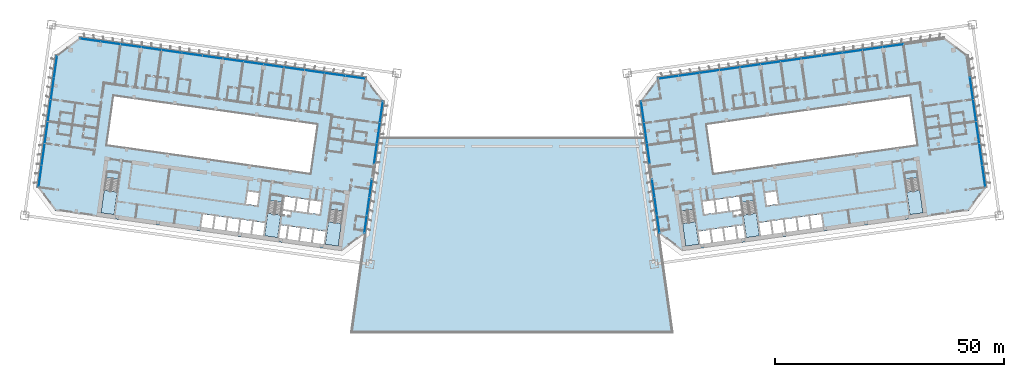
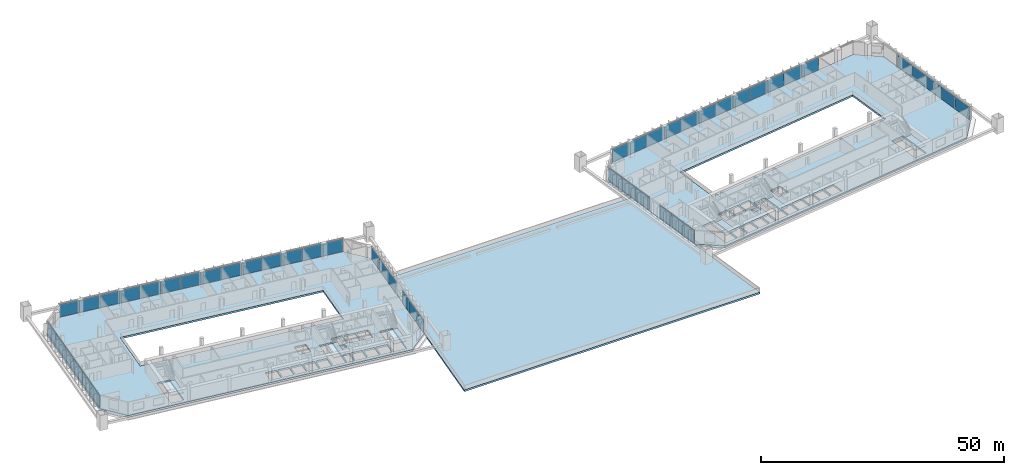
# One storey, part 23 of 46: 49 plates, 9 slabs, 14 elements without a shape of their own.
"""IFC4 building model written with IfcOpenShell, lengths in metres."""

import ifcopenshell
import ifcopenshell.guid

model = None  # the IFC model being written
_history = None  # IfcOwnerHistory: only IFC2X3 demands one
_inside = {}  # id of a spatial element -> (the spatial element, [elements in it])
_under = {}  # id of a project, library or spatial element -> (it, [spatial elements below it])
_declared = {}  # id of a project -> (the project, [libraries it declares])
_typed = {}  # id of a type object -> (the type object, [elements of that type])
_made_of = {}  # id of a material, layer set ... -> (it, [elements and type objects made of it])


def new_model(schema):
    """Start an empty IFC model of exactly this schema.

    Asked for "IFC4X3", IfcOpenShell would pick the latest addendum, in which some entities
    have other attributes; the version numbers below select the first issue.
    IFC2X3 requires an IfcOwnerHistory on every rooted entity: one is made here for all.
    """
    global model, _history
    if schema == "IFC4X3":
        model = ifcopenshell.file(schema_version=(4, 3, 0, 0))
    else:
        model = ifcopenshell.file(schema=schema)
    _inside.clear()
    _under.clear()
    _declared.clear()
    _typed.clear()
    _made_of.clear()
    _history = None
    if model.schema == "IFC2X3":
        org = make("IfcOrganization", Name="unknown")
        user = make(
            "IfcPersonAndOrganization",
            ThePerson=make("IfcPerson", FamilyName="unknown"),
            TheOrganization=org,
        )
        app = make(
            "IfcApplication",
            ApplicationDeveloper=org,
            Version="unknown",
            ApplicationFullName="unknown",
            ApplicationIdentifier="unknown",
        )
        _history = make(
            "IfcOwnerHistory",
            OwningUser=user,
            OwningApplication=app,
            ChangeAction="ADDED",
            CreationDate=0,
        )
    return model


def make(cls, **values):
    """One entity of the class cls with the attributes given. An attribute that is None is left unset."""
    return model.create_entity(
        cls, **{name: value for name, value in values.items() if value is not None}
    )


def rooted(cls, **values):
    """An entity with a GlobalId (a new one), such as an element, a storey or a relation."""
    return make(cls, GlobalId=ifcopenshell.guid.new(), OwnerHistory=_history, **values)


def si_unit(unit_type, name, prefix=None):
    """IfcSIUnit, for example si_unit("LENGTHUNIT", "METRE", prefix="MILLI")."""
    return make("IfcSIUnit", UnitType=unit_type, Prefix=prefix, Name=name)


def assignment(units):
    """IfcUnitAssignment: the units of a project."""
    return None if units is None else make("IfcUnitAssignment", Units=units)


def point(xyz):
    """IfcCartesianPoint."""
    return None if xyz is None else make("IfcCartesianPoint", Coordinates=xyz)


def direction(xyz):
    """IfcDirection."""
    return None if xyz is None else make("IfcDirection", DirectionRatios=xyz)


def frame(location, z_axis=None, x_axis=None):
    """IfcAxis2Placement3D, a coordinate frame: its origin and axes. An axis left out is left unset."""
    return make(
        "IfcAxis2Placement3D",
        Location=point(location),
        Axis=direction(z_axis),
        RefDirection=direction(x_axis),
    )


def frame_2d(location, x_axis=None):
    """IfcAxis2Placement2D, a coordinate frame in the plane: its origin and x axis."""
    return make(
        "IfcAxis2Placement2D", Location=point(location), RefDirection=direction(x_axis)
    )


def origin():
    """The frame at (0, 0, 0) with its axes left unset."""
    return frame((0.0, 0.0, 0.0))


def origin_2d():
    """The frame at (0, 0) in the plane with its x axis left unset."""
    return frame_2d((0.0, 0.0))


def place(relative_to, where):
    """IfcLocalPlacement: puts the frame where relative to a parent placement (None: the world)."""
    return make(
        "IfcLocalPlacement", PlacementRelTo=relative_to, RelativePlacement=where
    )


def context(
    kind, dimensions, precision=None, world=None, true_north=None, identifier=None
):
    """IfcGeometricRepresentationContext, for example the 3D "Model" context."""
    return make(
        "IfcGeometricRepresentationContext",
        ContextIdentifier=identifier,
        ContextType=kind,
        CoordinateSpaceDimension=dimensions,
        Precision=precision,
        WorldCoordinateSystem=world,
        TrueNorth=true_north,
    )


def subcontext(parent, identifier, kind, view, scale=None):
    """IfcGeometricRepresentationSubContext, for example "Body" below "Model"."""
    return make(
        "IfcGeometricRepresentationSubContext",
        ContextIdentifier=identifier,
        ContextType=kind,
        ParentContext=parent,
        TargetScale=scale,
        TargetView=view,
    )


def project(units=None, contexts=None):
    """IfcProject with its units and contexts."""
    return rooted(
        "IfcProject",
        Name="project",
        RepresentationContexts=contexts,
        UnitsInContext=assignment(units),
    )


def spatial(cls, under=None, at=None, **own):
    """A site, building, storey or space (cls), placed at a placement, below another one or the project."""
    s = rooted(cls, ObjectPlacement=at, **own)
    if under is not None:
        _under.setdefault(under.id(), (under, []))[1].append(s)
    return s


def polyline(points):
    """IfcPolyline through the points."""
    return make("IfcPolyline", Points=[point(p) for p in points])


def profile(cls, at=None, kind="AREA", **sizes):
    """A parametric profile (cls). Its sizes go by their IFC names, for example OverallWidth=200.0."""
    return make(cls, ProfileType=kind, Position=at, **sizes)


def rectangle(**sizes):
    """IfcRectangleProfileDef."""
    return profile("IfcRectangleProfileDef", **sizes)


def outline(outer, holes=None, kind="AREA"):
    """IfcArbitraryClosedProfileDef: a profile drawn as a closed curve; with holes, ...WithVoids."""
    if holes is None:
        return make("IfcArbitraryClosedProfileDef", ProfileType=kind, OuterCurve=outer)
    return make(
        "IfcArbitraryProfileDefWithVoids",
        ProfileType=kind,
        OuterCurve=outer,
        InnerCurves=holes,
    )


def extrude(swept, where, along, depth):
    """IfcExtrudedAreaSolid: the profile swept, set in the frame where, extruded along a direction by depth."""
    return make(
        "IfcExtrudedAreaSolid",
        SweptArea=swept,
        Position=where,
        ExtrudedDirection=direction(along),
        Depth=depth,
    )


def shape(context_of_items, identifier, shape_type, items):
    """IfcShapeRepresentation: the items that make up one representation, for example the "Body"."""
    return make(
        "IfcShapeRepresentation",
        ContextOfItems=context_of_items,
        RepresentationIdentifier=identifier,
        RepresentationType=shape_type,
        Items=items,
    )


def material(Name=None, Category=None):
    """IfcMaterial."""
    return make("IfcMaterial", Name=Name, Category=Category)


def layer(
    of_material, thickness, ventilated=None, Name=None, Category=None, Priority=None
):
    """IfcMaterialLayer: one layer of a wall or slab, of a material (None: an air gap)."""
    return make(
        "IfcMaterialLayer",
        Material=of_material,
        LayerThickness=thickness,
        IsVentilated=ventilated,
        Name=Name,
        Category=Category,
        Priority=Priority,
    )


def layer_set(layers, Name=None):
    """IfcMaterialLayerSet."""
    return make("IfcMaterialLayerSet", MaterialLayers=layers, LayerSetName=Name)


def made_of(thing, what):
    """Note that an element or type object is made of a material, layer set ...; save() writes the relation."""
    if what is not None:
        _made_of.setdefault(what.id(), (what, []))[1].append(thing)
    return thing


def type_object(cls, material=None, **own):
    """A type object (cls), such as IfcWallType, which elements share."""
    return made_of(rooted(cls, **own), material)


def element(
    cls,
    number,
    at=None,
    inside=None,
    cuts=None,
    type_object=None,
    material=None,
    context=None,
    identifier="Body",
    shape_type=None,
    held_by="IfcProductDefinitionShape",
    body=None,
    shapes=None,
    **own,
):
    """One element of the class cls, such as IfcWall. Its Tag is "e" and its number.

    at: its placement. inside: the storey or other place that contains it. cuts: it is an
    opening in that element (IfcRelVoidsElement). A single representation is given by context,
    identifier, shape_type and body (its items); several are given by shapes. held_by: the class
    of the entity that holds the representations. save() writes the other relations.
    """
    e = rooted(cls, Tag="e%d" % number, ObjectPlacement=at, **own)
    if body is not None:
        shapes = [shape(context, identifier, shape_type, body)]
    if shapes is not None:
        e.Representation = make(held_by, Representations=shapes)
    if inside is not None:
        _inside.setdefault(inside.id(), (inside, []))[1].append(e)
    if cuts is not None:
        rooted(
            "IfcRelVoidsElement", RelatingBuildingElement=cuts, RelatedOpeningElement=e
        )
    if type_object is not None:
        _typed.setdefault(type_object.id(), (type_object, []))[1].append(e)
    return made_of(e, material)


def aggregate(whole, parts):
    """IfcRelAggregates: a whole, such as a stair, and the parts it consists of."""
    return rooted("IfcRelAggregates", RelatingObject=whole, RelatedObjects=parts)


def save(model, path):
    """Write the relations noted so far, then the file.

    IfcRelAggregates (storeys below a building ...), IfcRelContainedInSpatialStructure (elements
    in a storey), IfcRelDefinesByType, IfcRelAssociatesMaterial and IfcRelDeclares: one each for
    every whole, place, type object, material and project.
    """
    for whole, parts in _under.values():
        aggregate(whole, parts)
    for where, things in _inside.values():
        rooted(
            "IfcRelContainedInSpatialStructure",
            RelatedElements=things,
            RelatingStructure=where,
        )
    for kind, things in _typed.values():
        rooted("IfcRelDefinesByType", RelatedObjects=things, RelatingType=kind)
    for what, things in _made_of.values():
        rooted("IfcRelAssociatesMaterial", RelatedObjects=things, RelatingMaterial=what)
    for by, libraries in _declared.values():
        rooted("IfcRelDeclares", RelatingContext=by, RelatedDefinitions=libraries)
    model.write(path)


model = new_model("IFC4")

# Units and contexts
model_context = context("Model", 3, precision=1e-05, world=origin(), true_north=direction((0.0, 1.0)))
body_context = subcontext(model_context, "Body", "Model", "MODEL_VIEW")
ifc_project = project(units=[si_unit("LENGTHUNIT", "METRE"), si_unit("AREAUNIT", "SQUARE_METRE"), si_unit("VOLUMEUNIT", "CUBIC_METRE"), si_unit("PLANEANGLEUNIT", "RADIAN"), si_unit("MASSUNIT", "GRAM", prefix="KILO")], contexts=[model_context])

# Site, building, storey
site_placement = place(None, origin())
site = spatial("IfcSite", under=ifc_project, at=site_placement, CompositionType="ELEMENT")
building_placement = place(site_placement, origin())
building = spatial("IfcBuilding", under=site, at=building_placement, Name="Mirante Cascada Hotel Towers", CompositionType="ELEMENT")
storey_placement = place(building_placement, frame((0.0, 0.0, 39.5)))
storey = spatial("IfcBuildingStorey", under=building, at=storey_placement, Name="L06", CompositionType="ELEMENT", Elevation=39.5)

# Curtain wall, plates
ifc_material_1 = material(Name="Aluminium mullion and transom frame with clear laminated glass", Category="aluminium")
curtain_wall_type_1 = type_object("IfcCurtainWallType", Name="Ribbon curtain wall ECW1", PredefinedType="NOTDEFINED", material=ifc_material_1)
curtain_wall_1_placement = place(storey_placement, origin())
curtain_wall_1 = element("IfcCurtainWall", 1, at=curtain_wall_1_placement, inside=storey, type_object=curtain_wall_type_1, Name="Front ribbon wall T1 L06", PredefinedType="NOTDEFINED")
ifc_material_2 = material(Name="Clear laminated glass", Category="glass")
ifc_layer_1 = layer(ifc_material_2, 0.036)
ifc_layer_set_1 = layer_set([ifc_layer_1], Name="ECW1 glass panel 36")
plate_type_1 = type_object("IfcPlateType", Name="ECW1 glass panel 36", PredefinedType="CURTAIN_PANEL", material=ifc_layer_set_1)
plate_1_placement = place(storey_placement, frame((-91.9184, 25.7373, 0.1), z_axis=(0.0, 0.0, 1.0), x_axis=(0.9902681, -0.1391731, 0.0)))
plate_1 = element("IfcPlate", 2, at=plate_1_placement, type_object=plate_type_1, Name="ECW1 panel 1", PredefinedType="CURTAIN_PANEL", context=body_context, shape_type="SweptSolid", body=[
    extrude(rectangle(XDim=4.3936, YDim=0.036, at=origin_2d()), origin(), (0.0, 0.0, 1.0), 3.15),
])
plate_2_placement = place(storey_placement, frame((-87.487, 25.1145, 0.1), z_axis=(0.0, 0.0, 1.0), x_axis=(0.9902681, -0.1391731, 0.0)))
plate_2 = element("IfcPlate", 3, at=plate_2_placement, type_object=plate_type_1, Name="ECW1 panel 2", PredefinedType="CURTAIN_PANEL", context=body_context, shape_type="SweptSolid", body=[
    extrude(rectangle(XDim=4.4261, YDim=0.036, at=origin_2d()), origin(), (0.0, 0.0, 1.0), 3.15),
])
plate_3_placement = place(storey_placement, frame((-83.0396, 24.4895, 0.1), z_axis=(0.0, 0.0, 1.0), x_axis=(0.9902681, -0.1391731, 0.0)))
plate_3 = element("IfcPlate", 4, at=plate_3_placement, type_object=plate_type_1, Name="ECW1 panel 3", PredefinedType="CURTAIN_PANEL", context=body_context, shape_type="SweptSolid", body=[
    extrude(rectangle(XDim=4.4261, YDim=0.036, at=origin_2d()), origin(), (0.0, 0.0, 1.0), 3.15),
])
plate_4_placement = place(storey_placement, frame((-78.5922, 23.8644, 0.1), z_axis=(0.0, 0.0, 1.0), x_axis=(0.9902681, -0.1391731, 0.0)))
plate_4 = element("IfcPlate", 5, at=plate_4_placement, type_object=plate_type_1, Name="ECW1 panel 4", PredefinedType="CURTAIN_PANEL", context=body_context, shape_type="SweptSolid", body=[
    extrude(rectangle(XDim=4.4261, YDim=0.036, at=origin_2d()), origin(), (0.0, 0.0, 1.0), 3.15),
])
plate_5_placement = place(storey_placement, frame((-74.1448, 23.2394, 0.1), z_axis=(0.0, 0.0, 1.0), x_axis=(0.9902681, -0.1391731, 0.0)))
plate_5 = element("IfcPlate", 6, at=plate_5_placement, type_object=plate_type_1, Name="ECW1 panel 5", PredefinedType="CURTAIN_PANEL", context=body_context, shape_type="SweptSolid", body=[
    extrude(rectangle(XDim=4.4261, YDim=0.036, at=origin_2d()), origin(), (0.0, 0.0, 1.0), 3.15),
])
plate_6_placement = place(storey_placement, frame((-69.6974, 22.6144, 0.1), z_axis=(0.0, 0.0, 1.0), x_axis=(0.9902681, -0.1391731, 0.0)))
plate_6 = element("IfcPlate", 7, at=plate_6_placement, type_object=plate_type_1, Name="ECW1 panel 6", PredefinedType="CURTAIN_PANEL", context=body_context, shape_type="SweptSolid", body=[
    extrude(rectangle(XDim=4.4261, YDim=0.036, at=origin_2d()), origin(), (0.0, 0.0, 1.0), 3.15),
])
plate_7_placement = place(storey_placement, frame((-65.2499, 21.9893, 0.1), z_axis=(0.0, 0.0, 1.0), x_axis=(0.9902681, -0.1391731, 0.0)))
plate_7 = element("IfcPlate", 8, at=plate_7_placement, type_object=plate_type_1, Name="ECW1 panel 7", PredefinedType="CURTAIN_PANEL", context=body_context, shape_type="SweptSolid", body=[
    extrude(rectangle(XDim=4.4261, YDim=0.036, at=origin_2d()), origin(), (0.0, 0.0, 1.0), 3.15),
])
plate_8_placement = place(storey_placement, frame((-60.8025, 21.3643, 0.1), z_axis=(0.0, 0.0, 1.0), x_axis=(0.9902681, -0.1391731, 0.0)))
plate_8 = element("IfcPlate", 9, at=plate_8_placement, type_object=plate_type_1, Name="ECW1 panel 8", PredefinedType="CURTAIN_PANEL", context=body_context, shape_type="SweptSolid", body=[
    extrude(rectangle(XDim=4.4261, YDim=0.036, at=origin_2d()), origin(), (0.0, 0.0, 1.0), 3.15),
])
plate_9_placement = place(storey_placement, frame((-56.3551, 20.7392, 0.1), z_axis=(0.0, 0.0, 1.0), x_axis=(0.9902681, -0.1391731, 0.0)))
plate_9 = element("IfcPlate", 10, at=plate_9_placement, type_object=plate_type_1, Name="ECW1 panel 9", PredefinedType="CURTAIN_PANEL", context=body_context, shape_type="SweptSolid", body=[
    extrude(rectangle(XDim=4.4261, YDim=0.036, at=origin_2d()), origin(), (0.0, 0.0, 1.0), 3.15),
])
plate_10_placement = place(storey_placement, frame((-51.9077, 20.1142, 0.1), z_axis=(0.0, 0.0, 1.0), x_axis=(0.9902681, -0.1391731, 0.0)))
plate_10 = element("IfcPlate", 11, at=plate_10_placement, type_object=plate_type_1, Name="ECW1 panel 10", PredefinedType="CURTAIN_PANEL", context=body_context, shape_type="SweptSolid", body=[
    extrude(rectangle(XDim=4.4261, YDim=0.036, at=origin_2d()), origin(), (0.0, 0.0, 1.0), 3.15),
])
plate_11_placement = place(storey_placement, frame((-47.4603, 19.4891, 0.1), z_axis=(0.0, 0.0, 1.0), x_axis=(0.9902681, -0.1391731, 0.0)))
plate_11 = element("IfcPlate", 12, at=plate_11_placement, type_object=plate_type_1, Name="ECW1 panel 11", PredefinedType="CURTAIN_PANEL", context=body_context, shape_type="SweptSolid", body=[
    extrude(rectangle(XDim=4.4261, YDim=0.036, at=origin_2d()), origin(), (0.0, 0.0, 1.0), 3.15),
])
plate_12_placement = place(storey_placement, frame((-43.0129, 18.8641, 0.1), z_axis=(0.0, 0.0, 1.0), x_axis=(0.9902681, -0.1391731, 0.0)))
plate_12 = element("IfcPlate", 13, at=plate_12_placement, type_object=plate_type_1, Name="ECW1 panel 12", PredefinedType="CURTAIN_PANEL", context=body_context, shape_type="SweptSolid", body=[
    extrude(rectangle(XDim=4.4261, YDim=0.036, at=origin_2d()), origin(), (0.0, 0.0, 1.0), 3.15),
])
plate_13_placement = place(storey_placement, frame((-38.5654, 18.239, 0.1), z_axis=(0.0, 0.0, 1.0), x_axis=(0.9902681, -0.1391731, 0.0)))
plate_13 = element("IfcPlate", 14, at=plate_13_placement, type_object=plate_type_1, Name="ECW1 panel 13", PredefinedType="CURTAIN_PANEL", context=body_context, shape_type="SweptSolid", body=[
    extrude(rectangle(XDim=4.4261, YDim=0.036, at=origin_2d()), origin(), (0.0, 0.0, 1.0), 3.15),
])
plate_14_placement = place(storey_placement, frame((-34.1341, 17.6163, 0.1), z_axis=(0.0, 0.0, 1.0), x_axis=(0.9902681, -0.1391731, 0.0)))
plate_14 = element("IfcPlate", 15, at=plate_14_placement, type_object=plate_type_1, Name="ECW1 panel 14", PredefinedType="CURTAIN_PANEL", context=body_context, shape_type="SweptSolid", body=[
    extrude(rectangle(XDim=4.3936, YDim=0.036, at=origin_2d()), origin(), (0.0, 0.0, 1.0), 3.15),
])
aggregate(curtain_wall_1, [plate_1, plate_2, plate_3, plate_4, plate_5, plate_6, plate_7, plate_8, plate_9, plate_10, plate_11, plate_12, plate_13, plate_14])

curtain_wall_2_placement = place(storey_placement, origin())
curtain_wall_2 = element("IfcCurtainWall", 16, at=curtain_wall_2_placement, inside=storey, type_object=curtain_wall_type_1, Name="Front ribbon wall T2 L06", PredefinedType="NOTDEFINED")
plate_15_placement = place(storey_placement, frame((83.0396, 24.4895, 0.1), z_axis=(0.0, 0.0, 1.0), x_axis=(-0.9902681, -0.1391731, 0.0)))
plate_15 = element("IfcPlate", 17, at=plate_15_placement, type_object=plate_type_1, Name="ECW1 panel 3", PredefinedType="CURTAIN_PANEL", context=body_context, shape_type="SweptSolid", body=[
    extrude(rectangle(XDim=4.4261, YDim=0.036, at=origin_2d()), origin(), (0.0, 0.0, 1.0), 3.15),
])
plate_16_placement = place(storey_placement, frame((78.5922, 23.8644, 0.1), z_axis=(0.0, 0.0, 1.0), x_axis=(-0.9902681, -0.1391731, 0.0)))
plate_16 = element("IfcPlate", 18, at=plate_16_placement, type_object=plate_type_1, Name="ECW1 panel 4", PredefinedType="CURTAIN_PANEL", context=body_context, shape_type="SweptSolid", body=[
    extrude(rectangle(XDim=4.4261, YDim=0.036, at=origin_2d()), origin(), (0.0, 0.0, 1.0), 3.15),
])
plate_17_placement = place(storey_placement, frame((74.1448, 23.2394, 0.1), z_axis=(0.0, 0.0, 1.0), x_axis=(-0.9902681, -0.1391731, 0.0)))
plate_17 = element("IfcPlate", 19, at=plate_17_placement, type_object=plate_type_1, Name="ECW1 panel 5", PredefinedType="CURTAIN_PANEL", context=body_context, shape_type="SweptSolid", body=[
    extrude(rectangle(XDim=4.4261, YDim=0.036, at=origin_2d()), origin(), (0.0, 0.0, 1.0), 3.15),
])
plate_18_placement = place(storey_placement, frame((69.6974, 22.6144, 0.1), z_axis=(0.0, 0.0, 1.0), x_axis=(-0.9902681, -0.1391731, 0.0)))
plate_18 = element("IfcPlate", 20, at=plate_18_placement, type_object=plate_type_1, Name="ECW1 panel 6", PredefinedType="CURTAIN_PANEL", context=body_context, shape_type="SweptSolid", body=[
    extrude(rectangle(XDim=4.4261, YDim=0.036, at=origin_2d()), origin(), (0.0, 0.0, 1.0), 3.15),
])
plate_19_placement = place(storey_placement, frame((65.2499, 21.9893, 0.1), z_axis=(0.0, 0.0, 1.0), x_axis=(-0.9902681, -0.1391731, 0.0)))
plate_19 = element("IfcPlate", 21, at=plate_19_placement, type_object=plate_type_1, Name="ECW1 panel 7", PredefinedType="CURTAIN_PANEL", context=body_context, shape_type="SweptSolid", body=[
    extrude(rectangle(XDim=4.4261, YDim=0.036, at=origin_2d()), origin(), (0.0, 0.0, 1.0), 3.15),
])
plate_20_placement = place(storey_placement, frame((60.8025, 21.3643, 0.1), z_axis=(0.0, 0.0, 1.0), x_axis=(-0.9902681, -0.1391731, 0.0)))
plate_20 = element("IfcPlate", 22, at=plate_20_placement, type_object=plate_type_1, Name="ECW1 panel 8", PredefinedType="CURTAIN_PANEL", context=body_context, shape_type="SweptSolid", body=[
    extrude(rectangle(XDim=4.4261, YDim=0.036, at=origin_2d()), origin(), (0.0, 0.0, 1.0), 3.15),
])
plate_21_placement = place(storey_placement, frame((56.3551, 20.7392, 0.1), z_axis=(0.0, 0.0, 1.0), x_axis=(-0.9902681, -0.1391731, 0.0)))
plate_21 = element("IfcPlate", 23, at=plate_21_placement, type_object=plate_type_1, Name="ECW1 panel 9", PredefinedType="CURTAIN_PANEL", context=body_context, shape_type="SweptSolid", body=[
    extrude(rectangle(XDim=4.4261, YDim=0.036, at=origin_2d()), origin(), (0.0, 0.0, 1.0), 3.15),
])
plate_22_placement = place(storey_placement, frame((51.9077, 20.1142, 0.1), z_axis=(0.0, 0.0, 1.0), x_axis=(-0.9902681, -0.1391731, 0.0)))
plate_22 = element("IfcPlate", 24, at=plate_22_placement, type_object=plate_type_1, Name="ECW1 panel 10", PredefinedType="CURTAIN_PANEL", context=body_context, shape_type="SweptSolid", body=[
    extrude(rectangle(XDim=4.4261, YDim=0.036, at=origin_2d()), origin(), (0.0, 0.0, 1.0), 3.15),
])
plate_23_placement = place(storey_placement, frame((47.4603, 19.4891, 0.1), z_axis=(0.0, 0.0, 1.0), x_axis=(-0.9902681, -0.1391731, 0.0)))
plate_23 = element("IfcPlate", 25, at=plate_23_placement, type_object=plate_type_1, Name="ECW1 panel 11", PredefinedType="CURTAIN_PANEL", context=body_context, shape_type="SweptSolid", body=[
    extrude(rectangle(XDim=4.4261, YDim=0.036, at=origin_2d()), origin(), (0.0, 0.0, 1.0), 3.15),
])
plate_24_placement = place(storey_placement, frame((43.0129, 18.8641, 0.1), z_axis=(0.0, 0.0, 1.0), x_axis=(-0.9902681, -0.1391731, 0.0)))
plate_24 = element("IfcPlate", 26, at=plate_24_placement, type_object=plate_type_1, Name="ECW1 panel 12", PredefinedType="CURTAIN_PANEL", context=body_context, shape_type="SweptSolid", body=[
    extrude(rectangle(XDim=4.4261, YDim=0.036, at=origin_2d()), origin(), (0.0, 0.0, 1.0), 3.15),
])
plate_25_placement = place(storey_placement, frame((38.5654, 18.239, 0.1), z_axis=(0.0, 0.0, 1.0), x_axis=(-0.9902681, -0.1391731, 0.0)))
plate_25 = element("IfcPlate", 27, at=plate_25_placement, type_object=plate_type_1, Name="ECW1 panel 13", PredefinedType="CURTAIN_PANEL", context=body_context, shape_type="SweptSolid", body=[
    extrude(rectangle(XDim=4.4261, YDim=0.036, at=origin_2d()), origin(), (0.0, 0.0, 1.0), 3.15),
])
plate_26_placement = place(storey_placement, frame((34.1341, 17.6163, 0.1), z_axis=(0.0, 0.0, 1.0), x_axis=(-0.9902681, -0.1391731, 0.0)))
plate_26 = element("IfcPlate", 28, at=plate_26_placement, type_object=plate_type_1, Name="ECW1 panel 14", PredefinedType="CURTAIN_PANEL", context=body_context, shape_type="SweptSolid", body=[
    extrude(rectangle(XDim=4.3936, YDim=0.036, at=origin_2d()), origin(), (0.0, 0.0, 1.0), 3.15),
])
aggregate(curtain_wall_2, [plate_15, plate_16, plate_17, plate_18, plate_19, plate_20, plate_21, plate_22, plate_23, plate_24, plate_25, plate_26])

ifc_material_3 = material(Name="Aluminium mullion and transom frame with clear laminated glass", Category="aluminium")
curtain_wall_type_2 = type_object("IfcCurtainWallType", Name="End ribbon curtain wall ECW2", PredefinedType="NOTDEFINED", material=ifc_material_3)
curtain_wall_3_placement = place(storey_placement, origin())
curtain_wall_3 = element("IfcCurtainWall", 29, at=curtain_wall_3_placement, inside=storey, type_object=curtain_wall_type_2, Name="Inner end wall T1 L06 run 1", PredefinedType="NOTDEFINED")
ifc_material_4 = material(Name="Clear laminated glass", Category="glass")
ifc_layer_2 = layer(ifc_material_4, 0.034)
ifc_layer_set_2 = layer_set([ifc_layer_2], Name="ECW2 glass panel 34")
plate_type_2 = type_object("IfcPlateType", Name="ECW2 glass panel 34", PredefinedType="CURTAIN_PANEL", material=ifc_layer_set_2)
plate_27_placement = place(storey_placement, frame((-28.4601, 10.0348, 0.1), z_axis=(0.0, 0.0, 1.0), x_axis=(-0.1391731, -0.9902681, 0.0)))
plate_27 = element("IfcPlate", 30, at=plate_27_placement, type_object=plate_type_2, Name="ECW2 panel 1", PredefinedType="CURTAIN_PANEL", context=body_context, shape_type="SweptSolid", body=[
    extrude(rectangle(XDim=4.4818, YDim=0.034, at=origin_2d()), origin(), (0.0, 0.0, 1.0), 3.15),
])
plate_28_placement = place(storey_placement, frame((-29.0951, 5.5161, 0.1), z_axis=(0.0, 0.0, 1.0), x_axis=(-0.1391731, -0.9902681, 0.0)))
plate_28 = element("IfcPlate", 31, at=plate_28_placement, type_object=plate_type_2, Name="ECW2 panel 2", PredefinedType="CURTAIN_PANEL", context=body_context, shape_type="SweptSolid", body=[
    extrude(rectangle(XDim=4.5143, YDim=0.034, at=origin_2d()), origin(), (0.0, 0.0, 1.0), 3.15),
])
plate_29_placement = place(storey_placement, frame((-29.7302, 0.9975, 0.1), z_axis=(0.0, 0.0, 1.0), x_axis=(-0.1391731, -0.9902681, 0.0)))
plate_29 = element("IfcPlate", 32, at=plate_29_placement, type_object=plate_type_2, Name="ECW2 panel 3", PredefinedType="CURTAIN_PANEL", context=body_context, shape_type="SweptSolid", body=[
    extrude(rectangle(XDim=4.4818, YDim=0.034, at=origin_2d()), origin(), (0.0, 0.0, 1.0), 3.15),
])
aggregate(curtain_wall_3, [plate_27, plate_28, plate_29])

curtain_wall_4_placement = place(storey_placement, origin())
curtain_wall_4 = element("IfcCurtainWall", 33, at=curtain_wall_4_placement, inside=storey, type_object=curtain_wall_type_2, Name="Inner end wall T1 L06 run 3", PredefinedType="NOTDEFINED")
plate_30_placement = place(storey_placement, frame((-30.7988, -6.6062, 0.1), z_axis=(0.0, 0.0, 1.0), x_axis=(-0.1391731, -0.9902681, 0.0)))
plate_30 = element("IfcPlate", 34, at=plate_30_placement, type_object=plate_type_2, Name="ECW2 panel 1", PredefinedType="CURTAIN_PANEL", context=body_context, shape_type="SweptSolid", body=[
    extrude(rectangle(XDim=3.8151, YDim=0.034, at=origin_2d()), origin(), (0.0, 0.0, 1.0), 3.15),
])
plate_31_placement = place(storey_placement, frame((-31.3411, -10.4647, 0.1), z_axis=(0.0, 0.0, 1.0), x_axis=(-0.1391731, -0.9902681, 0.0)))
plate_31 = element("IfcPlate", 35, at=plate_31_placement, type_object=plate_type_2, Name="ECW2 panel 2", PredefinedType="CURTAIN_PANEL", context=body_context, shape_type="SweptSolid", body=[
    extrude(rectangle(XDim=3.8476, YDim=0.034, at=origin_2d()), origin(), (0.0, 0.0, 1.0), 3.15),
])
plate_32_placement = place(storey_placement, frame((-31.8834, -14.3231, 0.1), z_axis=(0.0, 0.0, 1.0), x_axis=(-0.1391731, -0.9902681, 0.0)))
plate_32 = element("IfcPlate", 36, at=plate_32_placement, type_object=plate_type_2, Name="ECW2 panel 3", PredefinedType="CURTAIN_PANEL", context=body_context, shape_type="SweptSolid", body=[
    extrude(rectangle(XDim=3.8151, YDim=0.034, at=origin_2d()), origin(), (0.0, 0.0, 1.0), 3.15),
])
aggregate(curtain_wall_4, [plate_30, plate_31, plate_32])

curtain_wall_5_placement = place(storey_placement, origin())
curtain_wall_5 = element("IfcCurtainWall", 37, at=curtain_wall_5_placement, inside=storey, type_object=curtain_wall_type_2, Name="Outer end wall T1 L06", PredefinedType="NOTDEFINED")
plate_33_placement = place(storey_placement, frame((-102.823, -3.8988, 0.1), z_axis=(0.0, 0.0, 1.0), x_axis=(0.1391731, 0.9902681, 0.0)))
plate_33 = element("IfcPlate", 38, at=plate_33_placement, type_object=plate_type_2, Name="ECW2 panel 1", PredefinedType="CURTAIN_PANEL", context=body_context, shape_type="SweptSolid", body=[
    extrude(rectangle(XDim=4.7151, YDim=0.034, at=origin_2d()), origin(), (0.0, 0.0, 1.0), 3.15),
])
plate_34_placement = place(storey_placement, frame((-102.1554, 0.8509, 0.1), z_axis=(0.0, 0.0, 1.0), x_axis=(0.1391731, 0.9902681, 0.0)))
plate_34 = element("IfcPlate", 39, at=plate_34_placement, type_object=plate_type_2, Name="ECW2 panel 2", PredefinedType="CURTAIN_PANEL", context=body_context, shape_type="SweptSolid", body=[
    extrude(rectangle(XDim=4.7476, YDim=0.034, at=origin_2d()), origin(), (0.0, 0.0, 1.0), 3.15),
])
plate_35_placement = place(storey_placement, frame((-101.4857, 5.6167, 0.1), z_axis=(0.0, 0.0, 1.0), x_axis=(0.1391731, 0.9902681, 0.0)))
plate_35 = element("IfcPlate", 40, at=plate_35_placement, type_object=plate_type_2, Name="ECW2 panel 3", PredefinedType="CURTAIN_PANEL", context=body_context, shape_type="SweptSolid", body=[
    extrude(rectangle(XDim=4.7476, YDim=0.034, at=origin_2d()), origin(), (0.0, 0.0, 1.0), 3.15),
])
plate_36_placement = place(storey_placement, frame((-100.8159, 10.3825, 0.1), z_axis=(0.0, 0.0, 1.0), x_axis=(0.1391731, 0.9902681, 0.0)))
plate_36 = element("IfcPlate", 41, at=plate_36_placement, type_object=plate_type_2, Name="ECW2 panel 4", PredefinedType="CURTAIN_PANEL", context=body_context, shape_type="SweptSolid", body=[
    extrude(rectangle(XDim=4.7476, YDim=0.034, at=origin_2d()), origin(), (0.0, 0.0, 1.0), 3.15),
])
plate_37_placement = place(storey_placement, frame((-100.1461, 15.1483, 0.1), z_axis=(0.0, 0.0, 1.0), x_axis=(0.1391731, 0.9902681, 0.0)))
plate_37 = element("IfcPlate", 42, at=plate_37_placement, type_object=plate_type_2, Name="ECW2 panel 5", PredefinedType="CURTAIN_PANEL", context=body_context, shape_type="SweptSolid", body=[
    extrude(rectangle(XDim=4.7476, YDim=0.034, at=origin_2d()), origin(), (0.0, 0.0, 1.0), 3.15),
])
plate_38_placement = place(storey_placement, frame((-99.4786, 19.898, 0.1), z_axis=(0.0, 0.0, 1.0), x_axis=(0.1391731, 0.9902681, 0.0)))
plate_38 = element("IfcPlate", 43, at=plate_38_placement, type_object=plate_type_2, Name="ECW2 panel 6", PredefinedType="CURTAIN_PANEL", context=body_context, shape_type="SweptSolid", body=[
    extrude(rectangle(XDim=4.7151, YDim=0.034, at=origin_2d()), origin(), (0.0, 0.0, 1.0), 3.15),
])
aggregate(curtain_wall_5, [plate_33, plate_34, plate_35, plate_36, plate_37, plate_38])

curtain_wall_6_placement = place(storey_placement, origin())
curtain_wall_6 = element("IfcCurtainWall", 44, at=curtain_wall_6_placement, inside=storey, type_object=curtain_wall_type_2, Name="Inner end wall T2 L06 run 1", PredefinedType="NOTDEFINED")
plate_39_placement = place(storey_placement, frame((28.4601, 10.0348, 0.1), z_axis=(0.0, 0.0, 1.0), x_axis=(0.1391731, -0.9902681, 0.0)))
plate_39 = element("IfcPlate", 45, at=plate_39_placement, type_object=plate_type_2, Name="ECW2 panel 1", PredefinedType="CURTAIN_PANEL", context=body_context, shape_type="SweptSolid", body=[
    extrude(rectangle(XDim=4.4818, YDim=0.034, at=origin_2d()), origin(), (0.0, 0.0, 1.0), 3.15),
])
plate_40_placement = place(storey_placement, frame((29.0951, 5.5161, 0.1), z_axis=(0.0, 0.0, 1.0), x_axis=(0.1391731, -0.9902681, 0.0)))
plate_40 = element("IfcPlate", 46, at=plate_40_placement, type_object=plate_type_2, Name="ECW2 panel 2", PredefinedType="CURTAIN_PANEL", context=body_context, shape_type="SweptSolid", body=[
    extrude(rectangle(XDim=4.5143, YDim=0.034, at=origin_2d()), origin(), (0.0, 0.0, 1.0), 3.15),
])
plate_41_placement = place(storey_placement, frame((29.7302, 0.9975, 0.1), z_axis=(0.0, 0.0, 1.0), x_axis=(0.1391731, -0.9902681, 0.0)))
plate_41 = element("IfcPlate", 47, at=plate_41_placement, type_object=plate_type_2, Name="ECW2 panel 3", PredefinedType="CURTAIN_PANEL", context=body_context, shape_type="SweptSolid", body=[
    extrude(rectangle(XDim=4.4818, YDim=0.034, at=origin_2d()), origin(), (0.0, 0.0, 1.0), 3.15),
])
aggregate(curtain_wall_6, [plate_39, plate_40, plate_41])

curtain_wall_7_placement = place(storey_placement, origin())
curtain_wall_7 = element("IfcCurtainWall", 48, at=curtain_wall_7_placement, inside=storey, type_object=curtain_wall_type_2, Name="Inner end wall T2 L06 run 3", PredefinedType="NOTDEFINED")
plate_42_placement = place(storey_placement, frame((30.7988, -6.6062, 0.1), z_axis=(0.0, 0.0, 1.0), x_axis=(0.1391731, -0.9902681, 0.0)))
plate_42 = element("IfcPlate", 49, at=plate_42_placement, type_object=plate_type_2, Name="ECW2 panel 1", PredefinedType="CURTAIN_PANEL", context=body_context, shape_type="SweptSolid", body=[
    extrude(rectangle(XDim=3.8151, YDim=0.034, at=origin_2d()), origin(), (0.0, 0.0, 1.0), 3.15),
])
plate_43_placement = place(storey_placement, frame((31.3411, -10.4647, 0.1), z_axis=(0.0, 0.0, 1.0), x_axis=(0.1391731, -0.9902681, 0.0)))
plate_43 = element("IfcPlate", 50, at=plate_43_placement, type_object=plate_type_2, Name="ECW2 panel 2", PredefinedType="CURTAIN_PANEL", context=body_context, shape_type="SweptSolid", body=[
    extrude(rectangle(XDim=3.8476, YDim=0.034, at=origin_2d()), origin(), (0.0, 0.0, 1.0), 3.15),
])
plate_44_placement = place(storey_placement, frame((31.8834, -14.3231, 0.1), z_axis=(0.0, 0.0, 1.0), x_axis=(0.1391731, -0.9902681, 0.0)))
plate_44 = element("IfcPlate", 51, at=plate_44_placement, type_object=plate_type_2, Name="ECW2 panel 3", PredefinedType="CURTAIN_PANEL", context=body_context, shape_type="SweptSolid", body=[
    extrude(rectangle(XDim=3.8151, YDim=0.034, at=origin_2d()), origin(), (0.0, 0.0, 1.0), 3.15),
])
aggregate(curtain_wall_7, [plate_42, plate_43, plate_44])

curtain_wall_8_placement = place(storey_placement, origin())
curtain_wall_8 = element("IfcCurtainWall", 52, at=curtain_wall_8_placement, inside=storey, type_object=curtain_wall_type_2, Name="Outer end wall T2 L06", PredefinedType="NOTDEFINED")
plate_45_placement = place(storey_placement, frame((102.823, -3.8988, 0.1), z_axis=(0.0, 0.0, 1.0), x_axis=(-0.1391731, 0.9902681, 0.0)))
plate_45 = element("IfcPlate", 53, at=plate_45_placement, type_object=plate_type_2, Name="ECW2 panel 1", PredefinedType="CURTAIN_PANEL", context=body_context, shape_type="SweptSolid", body=[
    extrude(rectangle(XDim=4.7151, YDim=0.034, at=origin_2d()), origin(), (0.0, 0.0, 1.0), 3.15),
])
plate_46_placement = place(storey_placement, frame((102.1554, 0.8509, 0.1), z_axis=(0.0, 0.0, 1.0), x_axis=(-0.1391731, 0.9902681, 0.0)))
plate_46 = element("IfcPlate", 54, at=plate_46_placement, type_object=plate_type_2, Name="ECW2 panel 2", PredefinedType="CURTAIN_PANEL", context=body_context, shape_type="SweptSolid", body=[
    extrude(rectangle(XDim=4.7476, YDim=0.034, at=origin_2d()), origin(), (0.0, 0.0, 1.0), 3.15),
])
plate_47_placement = place(storey_placement, frame((101.4857, 5.6167, 0.1), z_axis=(0.0, 0.0, 1.0), x_axis=(-0.1391731, 0.9902681, 0.0)))
plate_47 = element("IfcPlate", 55, at=plate_47_placement, type_object=plate_type_2, Name="ECW2 panel 3", PredefinedType="CURTAIN_PANEL", context=body_context, shape_type="SweptSolid", body=[
    extrude(rectangle(XDim=4.7476, YDim=0.034, at=origin_2d()), origin(), (0.0, 0.0, 1.0), 3.15),
])
plate_48_placement = place(storey_placement, frame((100.8159, 10.3825, 0.1), z_axis=(0.0, 0.0, 1.0), x_axis=(-0.1391731, 0.9902681, 0.0)))
plate_48 = element("IfcPlate", 56, at=plate_48_placement, type_object=plate_type_2, Name="ECW2 panel 4", PredefinedType="CURTAIN_PANEL", context=body_context, shape_type="SweptSolid", body=[
    extrude(rectangle(XDim=4.7476, YDim=0.034, at=origin_2d()), origin(), (0.0, 0.0, 1.0), 3.15),
])
plate_49_placement = place(storey_placement, frame((100.1461, 15.1483, 0.1), z_axis=(0.0, 0.0, 1.0), x_axis=(-0.1391731, 0.9902681, 0.0)))
plate_49 = element("IfcPlate", 57, at=plate_49_placement, type_object=plate_type_2, Name="ECW2 panel 5", PredefinedType="CURTAIN_PANEL", context=body_context, shape_type="SweptSolid", body=[
    extrude(rectangle(XDim=4.7476, YDim=0.034, at=origin_2d()), origin(), (0.0, 0.0, 1.0), 3.15),
])
aggregate(curtain_wall_8, [plate_45, plate_46, plate_47, plate_48, plate_49])

# Stair, slab
ifc_material_5 = material(Name="Concrete C35/45", Category="concrete")
stair_type = type_object("IfcStairType", Name="Exit stair half-turn 1350 concrete C35/45", PredefinedType="HALF_TURN_STAIR", material=ifc_material_5)
stair_1_placement = place(storey_placement, origin())
stair_1 = element("IfcStair", 58, at=stair_1_placement, inside=storey, type_object=stair_type, Name="L06 Exit stair A", PredefinedType="HALF_TURN_STAIR")
ifc_material_6 = material(Name="Concrete C35/45", Category="concrete")
ifc_layer_3 = layer(ifc_material_6, 0.2)
ifc_layer_set_3 = layer_set([ifc_layer_3], Name="Exit stair landing 200 concrete C35/45")
slab_type_1 = type_object("IfcSlabType", Name="Exit stair landing 200 concrete C35/45", PredefinedType="LANDING", material=ifc_layer_set_3)
slab_1_placement = place(storey_placement, frame((0.0, 0.0, 1.7)))
slab_1 = element("IfcSlab", 59, at=slab_1_placement, type_object=slab_type_1, Name="ST1-A landing 1", PredefinedType="LANDING", context=body_context, shape_type="SweptSolid", body=[
    extrude(outline(polyline([(-39.9987, -13.8659), (-40.6887, -18.7757), (-37.8665, -19.1723), (-37.1765, -14.2626), (-39.9987, -13.8659)])), origin(), (0.0, 0.0, 1.0), 0.2),
])
aggregate(stair_1, [slab_1])

stair_2_placement = place(storey_placement, origin())
stair_2 = element("IfcStair", 60, at=stair_2_placement, inside=storey, type_object=stair_type, Name="L06 Exit stair B", PredefinedType="HALF_TURN_STAIR")
slab_2_placement = place(storey_placement, frame((0.0, 0.0, 1.7)))
slab_2 = element("IfcSlab", 61, at=slab_2_placement, type_object=slab_type_1, Name="ST1-B landing 1", PredefinedType="LANDING", context=body_context, shape_type="SweptSolid", body=[
    extrude(outline(polyline([(-53.2188, -12.008), (-53.9088, -16.9177), (-51.0866, -17.3144), (-50.3965, -12.4046), (-53.2188, -12.008)])), origin(), (0.0, 0.0, 1.0), 0.2),
])
aggregate(stair_2, [slab_2])

stair_3_placement = place(storey_placement, origin())
stair_3 = element("IfcStair", 62, at=stair_3_placement, inside=storey, type_object=stair_type, Name="L06 Exit stair C", PredefinedType="HALF_TURN_STAIR")
slab_3_placement = place(storey_placement, frame((0.0, 0.0, 1.7)))
slab_3 = element("IfcSlab", 63, at=slab_3_placement, type_object=slab_type_1, Name="ST1-C landing 1", PredefinedType="LANDING", context=body_context, shape_type="SweptSolid", body=[
    extrude(outline(polyline([(-88.8685, -6.9977), (-89.5585, -11.9075), (-86.7362, -12.3041), (-86.0462, -7.3944), (-88.8685, -6.9977)])), origin(), (0.0, 0.0, 1.0), 0.2),
])
aggregate(stair_3, [slab_3])

stair_4_placement = place(storey_placement, origin())
stair_4 = element("IfcStair", 64, at=stair_4_placement, inside=storey, type_object=stair_type, Name="L06 Exit stair A", PredefinedType="HALF_TURN_STAIR")
slab_4_placement = place(storey_placement, frame((0.0, 0.0, 1.7)))
slab_4 = element("IfcSlab", 65, at=slab_4_placement, type_object=slab_type_1, Name="ST2-A landing 1", PredefinedType="LANDING", context=body_context, shape_type="SweptSolid", body=[
    extrude(outline(polyline([(37.1765, -14.2626), (37.8665, -19.1723), (40.6887, -18.7757), (39.9987, -13.8659), (37.1765, -14.2626)])), origin(), (0.0, 0.0, 1.0), 0.2),
])
aggregate(stair_4, [slab_4])

stair_5_placement = place(storey_placement, origin())
stair_5 = element("IfcStair", 66, at=stair_5_placement, inside=storey, type_object=stair_type, Name="L06 Exit stair B", PredefinedType="HALF_TURN_STAIR")
slab_5_placement = place(storey_placement, frame((0.0, 0.0, 1.7)))
slab_5 = element("IfcSlab", 67, at=slab_5_placement, type_object=slab_type_1, Name="ST2-B landing 1", PredefinedType="LANDING", context=body_context, shape_type="SweptSolid", body=[
    extrude(outline(polyline([(50.3965, -12.4046), (51.0866, -17.3144), (53.9088, -16.9177), (53.2188, -12.008), (50.3965, -12.4046)])), origin(), (0.0, 0.0, 1.0), 0.2),
])
aggregate(stair_5, [slab_5])

stair_6_placement = place(storey_placement, origin())
stair_6 = element("IfcStair", 68, at=stair_6_placement, inside=storey, type_object=stair_type, Name="L06 Exit stair C", PredefinedType="HALF_TURN_STAIR")
slab_6_placement = place(storey_placement, frame((0.0, 0.0, 1.7)))
slab_6 = element("IfcSlab", 69, at=slab_6_placement, type_object=slab_type_1, Name="ST2-C landing 1", PredefinedType="LANDING", context=body_context, shape_type="SweptSolid", body=[
    extrude(outline(polyline([(86.0462, -7.3944), (86.7362, -12.3041), (89.5585, -11.9075), (88.8685, -6.9977), (86.0462, -7.3944)])), origin(), (0.0, 0.0, 1.0), 0.2),
])
aggregate(stair_6, [slab_6])

# Slabs
ifc_material_7 = material(Name="Concrete C40/50", Category="concrete")
ifc_layer_4 = layer(ifc_material_7, 0.45)
ifc_layer_set_4 = layer_set([ifc_layer_4], Name="Post-tensioned flat plate 450 Concrete C40/50")
slab_type_2 = type_object("IfcSlabType", Name="Post-tensioned flat plate 450 Concrete C40/50", PredefinedType="FLOOR", material=ifc_layer_set_4)
slab_7_placement = place(storey_placement, frame((0.0, 0.0, -0.45)))
element("IfcSlab", 70, at=slab_7_placement, inside=storey, type_object=slab_type_2, Name="Floor T1 L06", PredefinedType="FLOOR", context=body_context, shape_type="SweptSolid", body=[
    extrude(outline(polyline([(-32.018, -16.3589), (-27.982, 12.3589), (-31.8119, 17.4414), (-94.1988, 26.2093), (-99.2813, 22.3794), (-103.3173, -6.3384), (-99.4874, -11.4209), (-37.1005, -20.1888), (-32.018, -16.3589)]), holes=[polyline([(-43.0718, -15.6132), (-40.5961, -15.9612), (-40.9858, -18.7339), (-43.4615, -18.386), (-43.0718, -15.6132)]), polyline([(-45.8446, -15.2236), (-43.3689, -15.5715), (-43.7586, -18.3442), (-46.2342, -17.9963), (-45.8446, -15.2236)]), polyline([(-48.6173, -14.8339), (-46.1416, -15.1818), (-46.5313, -17.9546), (-49.007, -17.6066), (-48.6173, -14.8339)]), polyline([(-50.3998, -14.5834), (-48.9144, -14.7921), (-49.3041, -17.5649), (-50.7895, -17.3561), (-50.3998, -14.5834)]), polyline([(-36.7887, -11.5037), (-37.8665, -19.1723), (-40.6887, -18.7757), (-39.611, -11.107), (-36.7887, -11.5037)]), polyline([(-49.9544, -11.4145), (-48.1472, -11.6685), (-48.2829, -12.634), (-50.0901, -12.38), (-49.9544, -11.4145)]), polyline([(-43.9775, -9.124), (-41.5018, -9.472), (-41.8915, -12.2447), (-44.3672, -11.8968), (-43.9775, -9.124)]), polyline([(-47.1399, -11.5071), (-46.7503, -8.7344), (-44.2746, -9.0823), (-44.6643, -11.855), (-47.1399, -11.5071)]), polyline([(-49.9127, -11.1174), (-49.523, -8.3447), (-47.0473, -8.6926), (-47.437, -11.4654), (-49.9127, -11.1174)]), polyline([(-56.2919, -13.7553), (-53.8162, -14.1032), (-54.2059, -16.876), (-56.6816, -16.528), (-56.2919, -13.7553)]), polyline([(-59.0646, -13.3656), (-56.589, -13.7135), (-56.9787, -16.4863), (-59.4543, -16.1383), (-59.0646, -13.3656)]), polyline([(-61.8374, -12.9759), (-59.3617, -13.3238), (-59.7514, -16.0966), (-62.2271, -15.7487), (-61.8374, -12.9759)]), polyline([(-64.6101, -12.5862), (-62.1345, -12.9342), (-62.5242, -15.7069), (-64.9998, -15.359), (-64.6101, -12.5862)]), polyline([(-67.3829, -12.1965), (-64.9072, -12.5445), (-65.2969, -15.3172), (-67.7726, -14.9693), (-67.3829, -12.1965)]), polyline([(-50.0088, -9.6457), (-51.0866, -17.3144), (-53.9088, -16.9177), (-52.8311, -9.2491), (-50.0088, -9.6457)]), polyline([(-85.6585, -4.6355), (-86.7362, -12.3041), (-89.5585, -11.9075), (-88.4807, -4.2388), (-85.6585, -4.6355)]), polyline([(-57.9834, -9.9832), (-57.5937, -7.2104), (-55.118, -7.5583), (-55.5077, -10.3311), (-57.9834, -9.9832)]), polyline([(-88.4039, 2.7747), (-86.873, 13.6677), (-42.3109, 7.4049), (-43.8418, -3.4881), (-88.4039, 2.7747)])]), origin(), (0.0, 0.0, 1.0), 0.45),
])
slab_8_placement = place(storey_placement, frame((0.0, 0.0, -0.45)))
element("IfcSlab", 71, at=slab_8_placement, inside=storey, type_object=slab_type_2, Name="Floor T2 L06", PredefinedType="FLOOR", context=body_context, shape_type="SweptSolid", body=[
    extrude(outline(polyline([(32.018, -16.3589), (27.982, 12.3589), (31.8119, 17.4414), (94.1988, 26.2093), (99.2813, 22.3794), (103.3173, -6.3384), (99.4874, -11.4209), (37.1005, -20.1888), (32.018, -16.3589)]), holes=[polyline([(43.0718, -15.6132), (40.5961, -15.9612), (40.9858, -18.7339), (43.4615, -18.386), (43.0718, -15.6132)]), polyline([(45.8446, -15.2236), (43.3689, -15.5715), (43.7586, -18.3442), (46.2342, -17.9963), (45.8446, -15.2236)]), polyline([(48.6173, -14.8339), (46.1416, -15.1818), (46.5313, -17.9546), (49.007, -17.6066), (48.6173, -14.8339)]), polyline([(50.3998, -14.5834), (48.9144, -14.7921), (49.3041, -17.5649), (50.7895, -17.3561), (50.3998, -14.5834)]), polyline([(37.8665, -19.1723), (40.6887, -18.7757), (39.611, -11.107), (36.7887, -11.5037), (37.8665, -19.1723)]), polyline([(49.9544, -11.4145), (48.1472, -11.6685), (48.2829, -12.634), (50.0901, -12.38), (49.9544, -11.4145)]), polyline([(43.9775, -9.124), (41.5018, -9.472), (41.8915, -12.2447), (44.3672, -11.8968), (43.9775, -9.124)]), polyline([(47.1399, -11.5071), (46.7503, -8.7344), (44.2746, -9.0823), (44.6643, -11.855), (47.1399, -11.5071)]), polyline([(49.9127, -11.1174), (49.523, -8.3447), (47.0473, -8.6926), (47.437, -11.4654), (49.9127, -11.1174)]), polyline([(56.2919, -13.7553), (53.8162, -14.1032), (54.2059, -16.876), (56.6816, -16.528), (56.2919, -13.7553)]), polyline([(59.0646, -13.3656), (56.589, -13.7135), (56.9787, -16.4863), (59.4543, -16.1383), (59.0646, -13.3656)]), polyline([(61.8374, -12.9759), (59.3617, -13.3238), (59.7514, -16.0966), (62.2271, -15.7487), (61.8374, -12.9759)]), polyline([(64.6101, -12.5862), (62.1345, -12.9342), (62.5242, -15.7069), (64.9998, -15.359), (64.6101, -12.5862)]), polyline([(67.3829, -12.1965), (64.9072, -12.5445), (65.2969, -15.3172), (67.7726, -14.9693), (67.3829, -12.1965)]), polyline([(51.0866, -17.3144), (53.9088, -16.9177), (52.8311, -9.2491), (50.0088, -9.6457), (51.0866, -17.3144)]), polyline([(86.7362, -12.3041), (89.5585, -11.9075), (88.4807, -4.2388), (85.6585, -4.6355), (86.7362, -12.3041)]), polyline([(57.9834, -9.9832), (57.5937, -7.2104), (55.118, -7.5583), (55.5077, -10.3311), (57.9834, -9.9832)]), polyline([(88.4039, 2.7747), (86.873, 13.6677), (42.3109, 7.4049), (43.8418, -3.4881), (88.4039, 2.7747)])]), origin(), (0.0, 0.0, 1.0), 0.45),
])
ifc_material_8 = material(Name="Concrete C35/45", Category="concrete")
ifc_layer_5 = layer(ifc_material_8, 0.45)
ifc_layer_set_5 = layer_set([ifc_layer_5], Name="Terrace slab 450 C35/45")
slab_type_3 = type_object("IfcSlabType", Name="Terrace slab 450 C35/45", PredefinedType="ROOF", material=ifc_layer_set_5)
slab_9_placement = place(storey_placement, frame((0.0, 0.0, -0.45)))
element("IfcSlab", 72, at=slab_9_placement, inside=storey, type_object=slab_type_3, Name="Planted terrace slab above L05", PredefinedType="ROOF", context=body_context, shape_type="SweptSolid", body=[
    extrude(outline(polyline([(-35.0595, -38.0), (-29.0865, 4.5), (29.0865, 4.5), (35.0595, -38.0), (-35.0595, -38.0)])), origin(), (0.0, 0.0, 1.0), 0.45),
])

save(model, "model.ifc")
